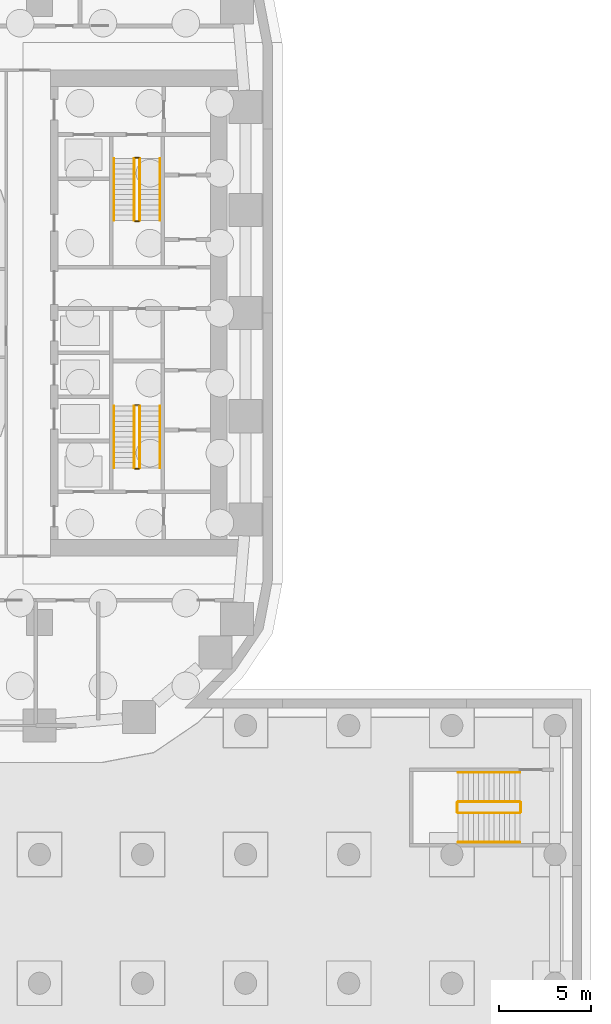
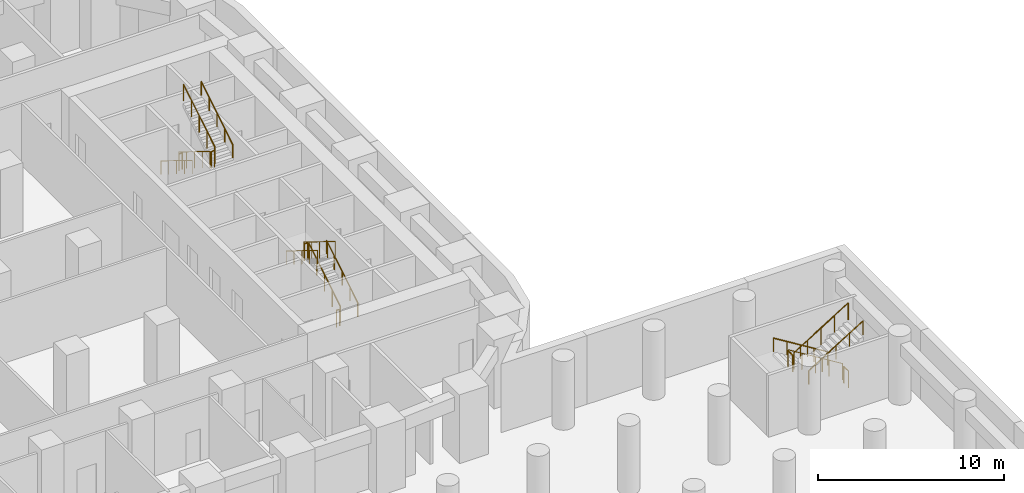
# One storey, part 22 of 23: 18 railings.
"""IFC4 building model written with IfcOpenShell, lengths in metres."""

from ifc_helpers import new_model, si_unit, direction, frame, origin, origin_2d, place, context, subcontext, project, spatial, circle, extrude, material, type_object, element, save


model = new_model("IFC4")

# Units and contexts
model_context = context("Model", 3, precision=1e-05, world=origin(), true_north=direction((0.0, 1.0)))
body_context = subcontext(model_context, "Body", "Model", "MODEL_VIEW")
ifc_project = project(units=[si_unit("LENGTHUNIT", "METRE"), si_unit("AREAUNIT", "SQUARE_METRE"), si_unit("VOLUMEUNIT", "CUBIC_METRE"), si_unit("PLANEANGLEUNIT", "RADIAN"), si_unit("MASSUNIT", "GRAM", prefix="KILO")], contexts=[model_context])

# Site, building, storey
site_placement = place(None, origin())
site = spatial("IfcSite", under=ifc_project, at=site_placement, CompositionType="ELEMENT")
building_placement = place(site_placement, origin())
building = spatial("IfcBuilding", under=site, at=building_placement, Name="Kiln Ring Residences", CompositionType="ELEMENT")
storey_placement = place(building_placement, frame((0.0, 0.0, -4.5)))
storey = spatial("IfcBuildingStorey", under=building, at=storey_placement, Name="B1", CompositionType="ELEMENT", Elevation=-4.5)

# Railings
ifc_material_1 = material(Name="Stainless steel", Category="steel")
railing_type_1 = type_object("IfcRailingType", Name="CORE-STAIR-GUARD", PredefinedType="GUARDRAIL", material=ifc_material_1)
railing_1_placement = place(storey_placement, frame((21.949951171875, 8.39990234375, 0.173095703125)))
element("IfcRailing", 1, at=railing_1_placement, inside=storey, type_object=railing_type_1, Name="B1 E-STN stair guard 1", PredefinedType="GUARDRAIL", context=body_context, shape_type="SweptSolid", body=[
    extrude(circle(Radius=0.02392578125, at=origin_2d()), frame((0.0, 0.0, 1.076171875), z_axis=(0.0, -0.850606129759, 0.525803396734), x_axis=(1.0, 0.0, 0.0)), (0.0, 0.0, 1.0), 3.949951171875),
    extrude(circle(Radius=0.02099609375, at=origin_2d()), origin(), (0.0, 0.0, 1.0), 1.052001953125),
    extrude(circle(Radius=0.02099609375, at=origin_2d()), frame((0.0, -0.83984375, 0.519287109375)), (0.0, 0.0, 1.0), 1.052001953125),
    extrude(circle(Radius=0.02099609375, at=origin_2d()), frame((0.0, -1.679931640625, 1.03857421875)), (0.0, 0.0, 1.0), 1.052001953125),
    extrude(circle(Radius=0.02099609375, at=origin_2d()), frame((0.0, -2.52001953125, 1.5576171875)), (0.0, 0.0, 1.0), 1.052001953125),
    extrude(circle(Radius=0.02099609375, at=origin_2d()), frame((0.0, -3.35986328125, 2.076904296875)), (0.0, 0.0, 1.0), 1.052001953125),
])
railing_2_placement = place(storey_placement, frame((22.0, 4.989990234375, 2.25)))
element("IfcRailing", 2, at=railing_2_placement, inside=storey, type_object=railing_type_1, Name="B1 E-STN stair guard 2", PredefinedType="GUARDRAIL", context=body_context, shape_type="SweptSolid", body=[
    extrude(circle(Radius=0.02392578125, at=origin_2d()), frame((0.0, 0.0, 1.076171875), z_axis=(1.0, 0.0, 0.0), x_axis=(0.0, 1.0, 0.0)), (0.0, 0.0, 1.0), 0.199951171875),
    extrude(circle(Radius=0.02099609375, at=origin_2d()), origin(), (0.0, 0.0, 1.0), 1.052001953125),
    extrude(circle(Radius=0.02099609375, at=origin_2d()), frame((0.199951171875, 0.0, 0.0)), (0.0, 0.0, 1.0), 1.052001953125),
])
railing_3_placement = place(storey_placement, frame((22.25, 5.0400390625, 2.423095703125)))
element("IfcRailing", 3, at=railing_3_placement, inside=storey, type_object=railing_type_1, Name="B1 E-STN stair guard 3", PredefinedType="GUARDRAIL", context=body_context, shape_type="SweptSolid", body=[
    extrude(circle(Radius=0.02392578125, at=origin_2d()), frame((0.0, 0.0, 1.076171875), z_axis=(0.0, 0.850606129759, 0.525803396734), x_axis=(-1.0, 0.0, 0.0)), (0.0, 0.0, 1.0), 3.949951171875),
    extrude(circle(Radius=0.02099609375, at=origin_2d()), origin(), (0.0, 0.0, 1.0), 1.052001953125),
    extrude(circle(Radius=0.02099609375, at=origin_2d()), frame((0.0, 0.83984375, 0.519287109375)), (0.0, 0.0, 1.0), 1.052001953125),
    extrude(circle(Radius=0.02099609375, at=origin_2d()), frame((0.0, 1.679931640625, 1.03857421875)), (0.0, 0.0, 1.0), 1.052001953125),
    extrude(circle(Radius=0.02099609375, at=origin_2d()), frame((0.0, 2.52001953125, 1.5576171875)), (0.0, 0.0, 1.0), 1.052001953125),
    extrude(circle(Radius=0.02099609375, at=origin_2d()), frame((0.0, 3.35986328125, 2.076904296875)), (0.0, 0.0, 1.0), 1.052001953125),
])
railing_4_placement = place(storey_placement, frame((22.0, 8.449951171875, 0.0)))
element("IfcRailing", 4, at=railing_4_placement, inside=storey, type_object=railing_type_1, Name="B1 E-STN stair guard 4", PredefinedType="GUARDRAIL", context=body_context, shape_type="SweptSolid", body=[
    extrude(circle(Radius=0.02392578125, at=origin_2d()), frame((0.0, 0.0, 1.076171875), z_axis=(1.0, 0.0, 0.0), x_axis=(0.0, 1.0, 0.0)), (0.0, 0.0, 1.0), 0.199951171875),
    extrude(circle(Radius=0.02099609375, at=origin_2d()), origin(), (0.0, 0.0, 1.0), 1.052001953125),
    extrude(circle(Radius=0.02099609375, at=origin_2d()), frame((0.199951171875, 0.0, 0.0)), (0.0, 0.0, 1.0), 1.052001953125),
])
railing_5_placement = place(storey_placement, frame((22.25, -8.39990234375, 0.173095703125)))
element("IfcRailing", 5, at=railing_5_placement, inside=storey, type_object=railing_type_1, Name="B1 E-STS stair guard 1", PredefinedType="GUARDRAIL", context=body_context, shape_type="SweptSolid", body=[
    extrude(circle(Radius=0.02392578125, at=origin_2d()), frame((0.0, 0.0, 1.076171875), z_axis=(0.0, 0.850606129759, 0.525803396734), x_axis=(-1.0, 0.0, 0.0)), (0.0, 0.0, 1.0), 3.949951171875),
    extrude(circle(Radius=0.02099609375, at=origin_2d()), origin(), (0.0, 0.0, 1.0), 1.052001953125),
    extrude(circle(Radius=0.02099609375, at=origin_2d()), frame((0.0, 0.83984375, 0.519287109375)), (0.0, 0.0, 1.0), 1.052001953125),
    extrude(circle(Radius=0.02099609375, at=origin_2d()), frame((0.0, 1.679931640625, 1.03857421875)), (0.0, 0.0, 1.0), 1.052001953125),
    extrude(circle(Radius=0.02099609375, at=origin_2d()), frame((0.0, 2.52001953125, 1.5576171875)), (0.0, 0.0, 1.0), 1.052001953125),
    extrude(circle(Radius=0.02099609375, at=origin_2d()), frame((0.0, 3.35986328125, 2.076904296875)), (0.0, 0.0, 1.0), 1.052001953125),
])
railing_6_placement = place(storey_placement, frame((22.199951171875, -4.989990234375, 2.25)))
element("IfcRailing", 6, at=railing_6_placement, inside=storey, type_object=railing_type_1, Name="B1 E-STS stair guard 2", PredefinedType="GUARDRAIL", context=body_context, shape_type="SweptSolid", body=[
    extrude(circle(Radius=0.02392578125, at=origin_2d()), frame((0.0, 0.0, 1.076171875), z_axis=(-1.0, 0.0, 0.0), x_axis=(0.0, -1.0, 0.0)), (0.0, 0.0, 1.0), 0.199951171875),
    extrude(circle(Radius=0.02099609375, at=origin_2d()), origin(), (0.0, 0.0, 1.0), 1.052001953125),
    extrude(circle(Radius=0.02099609375, at=origin_2d()), frame((-0.199951171875, 0.0, 0.0)), (0.0, 0.0, 1.0), 1.052001953125),
])
railing_7_placement = place(storey_placement, frame((21.949951171875, -5.0400390625, 2.423095703125)))
element("IfcRailing", 7, at=railing_7_placement, inside=storey, type_object=railing_type_1, Name="B1 E-STS stair guard 3", PredefinedType="GUARDRAIL", context=body_context, shape_type="SweptSolid", body=[
    extrude(circle(Radius=0.02392578125, at=origin_2d()), frame((0.0, 0.0, 1.076171875), z_axis=(0.0, -0.850606129759, 0.525803396734), x_axis=(1.0, 0.0, 0.0)), (0.0, 0.0, 1.0), 3.949951171875),
    extrude(circle(Radius=0.02099609375, at=origin_2d()), origin(), (0.0, 0.0, 1.0), 1.052001953125),
    extrude(circle(Radius=0.02099609375, at=origin_2d()), frame((0.0, -0.83984375, 0.519287109375)), (0.0, 0.0, 1.0), 1.052001953125),
    extrude(circle(Radius=0.02099609375, at=origin_2d()), frame((0.0, -1.679931640625, 1.03857421875)), (0.0, 0.0, 1.0), 1.052001953125),
    extrude(circle(Radius=0.02099609375, at=origin_2d()), frame((0.0, -2.52001953125, 1.5576171875)), (0.0, 0.0, 1.0), 1.052001953125),
    extrude(circle(Radius=0.02099609375, at=origin_2d()), frame((0.0, -3.35986328125, 2.076904296875)), (0.0, 0.0, 1.0), 1.052001953125),
])
railing_8_placement = place(storey_placement, frame((22.199951171875, -8.449951171875, 0.0)))
element("IfcRailing", 8, at=railing_8_placement, inside=storey, type_object=railing_type_1, Name="B1 E-STS stair guard 4", PredefinedType="GUARDRAIL", context=body_context, shape_type="SweptSolid", body=[
    extrude(circle(Radius=0.02392578125, at=origin_2d()), frame((0.0, 0.0, 1.076171875), z_axis=(-1.0, 0.0, 0.0), x_axis=(0.0, -1.0, 0.0)), (0.0, 0.0, 1.0), 0.199951171875),
    extrude(circle(Radius=0.02099609375, at=origin_2d()), origin(), (0.0, 0.0, 1.0), 1.052001953125),
    extrude(circle(Radius=0.02099609375, at=origin_2d()), frame((-0.199951171875, 0.0, 0.0)), (0.0, 0.0, 1.0), 1.052001953125),
])
ifc_material_2 = material(Name="Stainless steel", Category="steel")
railing_type_2 = type_object("IfcRailingType", Name="CORE-STAIR-HANDRAIL", PredefinedType="HANDRAIL", material=ifc_material_2)
railing_9_placement = place(storey_placement, frame((20.85009765625, 8.39990234375, 0.173095703125)))
element("IfcRailing", 9, at=railing_9_placement, inside=storey, type_object=railing_type_2, Name="B1 E-STN stair handrail 1", PredefinedType="HANDRAIL", context=body_context, shape_type="SweptSolid", body=[
    extrude(circle(Radius=0.02392578125, at=origin_2d()), frame((0.0, 0.0, 0.8759765625), z_axis=(0.0, -0.850606129759, 0.525803396734), x_axis=(1.0, 0.0, 0.0)), (0.0, 0.0, 1.0), 3.949951171875),
    extrude(circle(Radius=0.02099609375, at=origin_2d()), origin(), (0.0, 0.0, 1.0), 0.851806640625),
    extrude(circle(Radius=0.02099609375, at=origin_2d()), frame((0.0, -0.83984375, 0.519287109375)), (0.0, 0.0, 1.0), 0.851806640625),
    extrude(circle(Radius=0.02099609375, at=origin_2d()), frame((0.0, -1.679931640625, 1.03857421875)), (0.0, 0.0, 1.0), 0.851806640625),
    extrude(circle(Radius=0.02099609375, at=origin_2d()), frame((0.0, -2.52001953125, 1.5576171875)), (0.0, 0.0, 1.0), 0.851806640625),
    extrude(circle(Radius=0.02099609375, at=origin_2d()), frame((0.0, -3.35986328125, 2.076904296875)), (0.0, 0.0, 1.0), 0.851806640625),
])
for number, where, name in (
    (10, (23.35009765625, 5.0400390625, 2.423095703125), "B1 E-STN stair handrail 2"),
    (11, (23.35009765625, -8.39990234375, 0.173095703125), "B1 E-STS stair handrail 1"),
):
    element("IfcRailing", number, at=place(storey_placement, frame(where)), inside=storey, type_object=railing_type_2, Name=name, PredefinedType="HANDRAIL", context=body_context, shape_type="SweptSolid", body=[
        extrude(circle(Radius=0.02392578125, at=origin_2d()), frame((0.0, 0.0, 0.8759765625), z_axis=(0.0, 0.850606129759, 0.525803396734), x_axis=(-1.0, 0.0, 0.0)), (0.0, 0.0, 1.0), 3.949951171875),
        extrude(circle(Radius=0.02099609375, at=origin_2d()), origin(), (0.0, 0.0, 1.0), 0.851806640625),
        extrude(circle(Radius=0.02099609375, at=origin_2d()), frame((0.0, 0.83984375, 0.519287109375)), (0.0, 0.0, 1.0), 0.851806640625),
        extrude(circle(Radius=0.02099609375, at=origin_2d()), frame((0.0, 1.679931640625, 1.03857421875)), (0.0, 0.0, 1.0), 0.851806640625),
        extrude(circle(Radius=0.02099609375, at=origin_2d()), frame((0.0, 2.52001953125, 1.5576171875)), (0.0, 0.0, 1.0), 0.851806640625),
        extrude(circle(Radius=0.02099609375, at=origin_2d()), frame((0.0, 3.35986328125, 2.076904296875)), (0.0, 0.0, 1.0), 0.851806640625),
    ])
railing_10_placement = place(storey_placement, frame((20.85009765625, -5.0400390625, 2.423095703125)))
element("IfcRailing", 12, at=railing_10_placement, inside=storey, type_object=railing_type_2, Name="B1 E-STS stair handrail 2", PredefinedType="HANDRAIL", context=body_context, shape_type="SweptSolid", body=[
    extrude(circle(Radius=0.02392578125, at=origin_2d()), frame((0.0, 0.0, 0.8759765625), z_axis=(0.0, -0.850606129759, 0.525803396734), x_axis=(1.0, 0.0, 0.0)), (0.0, 0.0, 1.0), 3.949951171875),
    extrude(circle(Radius=0.02099609375, at=origin_2d()), origin(), (0.0, 0.0, 1.0), 0.851806640625),
    extrude(circle(Radius=0.02099609375, at=origin_2d()), frame((0.0, -0.83984375, 0.519287109375)), (0.0, 0.0, 1.0), 0.851806640625),
    extrude(circle(Radius=0.02099609375, at=origin_2d()), frame((0.0, -1.679931640625, 1.03857421875)), (0.0, 0.0, 1.0), 0.851806640625),
    extrude(circle(Radius=0.02099609375, at=origin_2d()), frame((0.0, -2.52001953125, 1.5576171875)), (0.0, 0.0, 1.0), 0.851806640625),
    extrude(circle(Radius=0.02099609375, at=origin_2d()), frame((0.0, -3.35986328125, 2.076904296875)), (0.0, 0.0, 1.0), 0.851806640625),
])
ifc_material_3 = material(Name="Stainless steel", Category="steel")
railing_type_3 = type_object("IfcRailingType", Name="PODIUM-STAIR-GUARD", PredefinedType="GUARDRAIL", material=ifc_material_3)
railing_11_placement = place(storey_placement, frame((42.89990234375, -26.550048828125, 0.173095703125)))
element("IfcRailing", 13, at=railing_11_placement, inside=storey, type_object=railing_type_3, Name="B1 PS-E stair guard 1", PredefinedType="GUARDRAIL", context=body_context, shape_type="SweptSolid", body=[
    extrude(circle(Radius=0.02392578125, at=origin_2d()), frame((0.0, 0.0, 1.076171875), z_axis=(-0.850606129759, 0.0, 0.525803396734), x_axis=(0.0, -1.0, 0.0)), (0.0, 0.0, 1.0), 3.949951171875),
    extrude(circle(Radius=0.02099609375, at=origin_2d()), origin(), (0.0, 0.0, 1.0), 1.052001953125),
    extrude(circle(Radius=0.02099609375, at=origin_2d()), frame((-0.83984375, 0.0, 0.519287109375)), (0.0, 0.0, 1.0), 1.052001953125),
    extrude(circle(Radius=0.02099609375, at=origin_2d()), frame((-1.679931640625, 0.0, 1.03857421875)), (0.0, 0.0, 1.0), 1.052001953125),
    extrude(circle(Radius=0.02099609375, at=origin_2d()), frame((-2.52001953125, 0.0, 1.5576171875)), (0.0, 0.0, 1.0), 1.052001953125),
    extrude(circle(Radius=0.02099609375, at=origin_2d()), frame((-3.35986328125, 0.0, 2.076904296875)), (0.0, 0.0, 1.0), 1.052001953125),
])
railing_12_placement = place(storey_placement, frame((39.489990234375, -26.60009765625, 2.25)))
element("IfcRailing", 14, at=railing_12_placement, inside=storey, type_object=railing_type_3, Name="B1 PS-E stair guard 2", PredefinedType="GUARDRAIL", context=body_context, shape_type="SweptSolid", body=[
    extrude(circle(Radius=0.02392578125, at=origin_2d()), frame((0.0, 0.0, 1.076171875), z_axis=(0.0, -1.0, 0.0), x_axis=(1.0, 0.0, 0.0)), (0.0, 0.0, 1.0), 0.5),
    extrude(circle(Radius=0.02099609375, at=origin_2d()), origin(), (0.0, 0.0, 1.0), 1.052001953125),
    extrude(circle(Radius=0.02099609375, at=origin_2d()), frame((0.0, -0.5, 0.0)), (0.0, 0.0, 1.0), 1.052001953125),
])
railing_13_placement = place(storey_placement, frame((39.5400390625, -27.14990234375, 2.423095703125)))
element("IfcRailing", 15, at=railing_13_placement, inside=storey, type_object=railing_type_3, Name="B1 PS-E stair guard 3", PredefinedType="GUARDRAIL", context=body_context, shape_type="SweptSolid", body=[
    extrude(circle(Radius=0.02392578125, at=origin_2d()), frame((0.0, 0.0, 1.076171875), z_axis=(0.850606129759, 0.0, 0.525803396734), x_axis=(0.0, 1.0, 0.0)), (0.0, 0.0, 1.0), 3.949951171875),
    extrude(circle(Radius=0.02099609375, at=origin_2d()), origin(), (0.0, 0.0, 1.0), 1.052001953125),
    extrude(circle(Radius=0.02099609375, at=origin_2d()), frame((0.83984375, 0.0, 0.519287109375)), (0.0, 0.0, 1.0), 1.052001953125),
    extrude(circle(Radius=0.02099609375, at=origin_2d()), frame((1.679931640625, 0.0, 1.03857421875)), (0.0, 0.0, 1.0), 1.052001953125),
    extrude(circle(Radius=0.02099609375, at=origin_2d()), frame((2.52001953125, 0.0, 1.5576171875)), (0.0, 0.0, 1.0), 1.052001953125),
    extrude(circle(Radius=0.02099609375, at=origin_2d()), frame((3.35986328125, 0.0, 2.076904296875)), (0.0, 0.0, 1.0), 1.052001953125),
])
railing_14_placement = place(storey_placement, frame((42.949951171875, -26.60009765625, 0.0)))
element("IfcRailing", 16, at=railing_14_placement, inside=storey, type_object=railing_type_3, Name="B1 PS-E stair guard 4", PredefinedType="GUARDRAIL", context=body_context, shape_type="SweptSolid", body=[
    extrude(circle(Radius=0.02392578125, at=origin_2d()), frame((0.0, 0.0, 1.076171875), z_axis=(0.0, -1.0, 0.0), x_axis=(1.0, 0.0, 0.0)), (0.0, 0.0, 1.0), 0.5),
    extrude(circle(Radius=0.02099609375, at=origin_2d()), origin(), (0.0, 0.0, 1.0), 1.052001953125),
    extrude(circle(Radius=0.02099609375, at=origin_2d()), frame((0.0, -0.5, 0.0)), (0.0, 0.0, 1.0), 1.052001953125),
])
ifc_material_4 = material(Name="Stainless steel", Category="steel")
railing_type_4 = type_object("IfcRailingType", Name="PODIUM-STAIR-HANDRAIL", PredefinedType="HANDRAIL", material=ifc_material_4)
railing_15_placement = place(storey_placement, frame((42.89990234375, -24.949951171875, 0.173095703125)))
element("IfcRailing", 17, at=railing_15_placement, inside=storey, type_object=railing_type_4, Name="B1 PS-E stair handrail 1", PredefinedType="HANDRAIL", context=body_context, shape_type="SweptSolid", body=[
    extrude(circle(Radius=0.02392578125, at=origin_2d()), frame((0.0, 0.0, 0.8759765625), z_axis=(-0.850606129759, 0.0, 0.525803396734), x_axis=(0.0, -1.0, 0.0)), (0.0, 0.0, 1.0), 3.949951171875),
    extrude(circle(Radius=0.02099609375, at=origin_2d()), origin(), (0.0, 0.0, 1.0), 0.851806640625),
    extrude(circle(Radius=0.02099609375, at=origin_2d()), frame((-0.83984375, 0.0, 0.519287109375)), (0.0, 0.0, 1.0), 0.851806640625),
    extrude(circle(Radius=0.02099609375, at=origin_2d()), frame((-1.679931640625, 0.0, 1.03857421875)), (0.0, 0.0, 1.0), 0.851806640625),
    extrude(circle(Radius=0.02099609375, at=origin_2d()), frame((-2.52001953125, 0.0, 1.5576171875)), (0.0, 0.0, 1.0), 0.851806640625),
    extrude(circle(Radius=0.02099609375, at=origin_2d()), frame((-3.35986328125, 0.0, 2.076904296875)), (0.0, 0.0, 1.0), 0.851806640625),
])
railing_16_placement = place(storey_placement, frame((39.5400390625, -28.75, 2.423095703125)))
element("IfcRailing", 18, at=railing_16_placement, inside=storey, type_object=railing_type_4, Name="B1 PS-E stair handrail 2", PredefinedType="HANDRAIL", context=body_context, shape_type="SweptSolid", body=[
    extrude(circle(Radius=0.02392578125, at=origin_2d()), frame((0.0, 0.0, 0.8759765625), z_axis=(0.850606129759, 0.0, 0.525803396734), x_axis=(0.0, 1.0, 0.0)), (0.0, 0.0, 1.0), 3.949951171875),
    extrude(circle(Radius=0.02099609375, at=origin_2d()), origin(), (0.0, 0.0, 1.0), 0.851806640625),
    extrude(circle(Radius=0.02099609375, at=origin_2d()), frame((0.83984375, 0.0, 0.519287109375)), (0.0, 0.0, 1.0), 0.851806640625),
    extrude(circle(Radius=0.02099609375, at=origin_2d()), frame((1.679931640625, 0.0, 1.03857421875)), (0.0, 0.0, 1.0), 0.851806640625),
    extrude(circle(Radius=0.02099609375, at=origin_2d()), frame((2.52001953125, 0.0, 1.5576171875)), (0.0, 0.0, 1.0), 0.851806640625),
    extrude(circle(Radius=0.02099609375, at=origin_2d()), frame((3.35986328125, 0.0, 2.076904296875)), (0.0, 0.0, 1.0), 0.851806640625),
])

save(model, "model.ifc")
